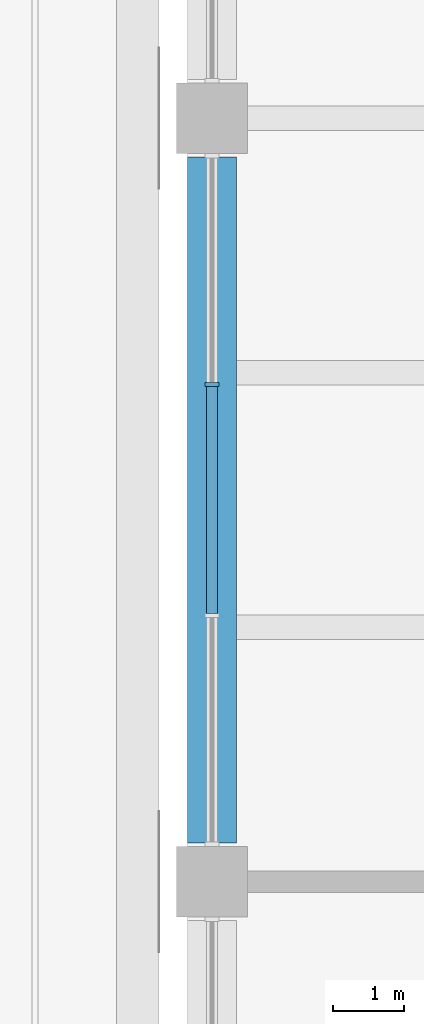
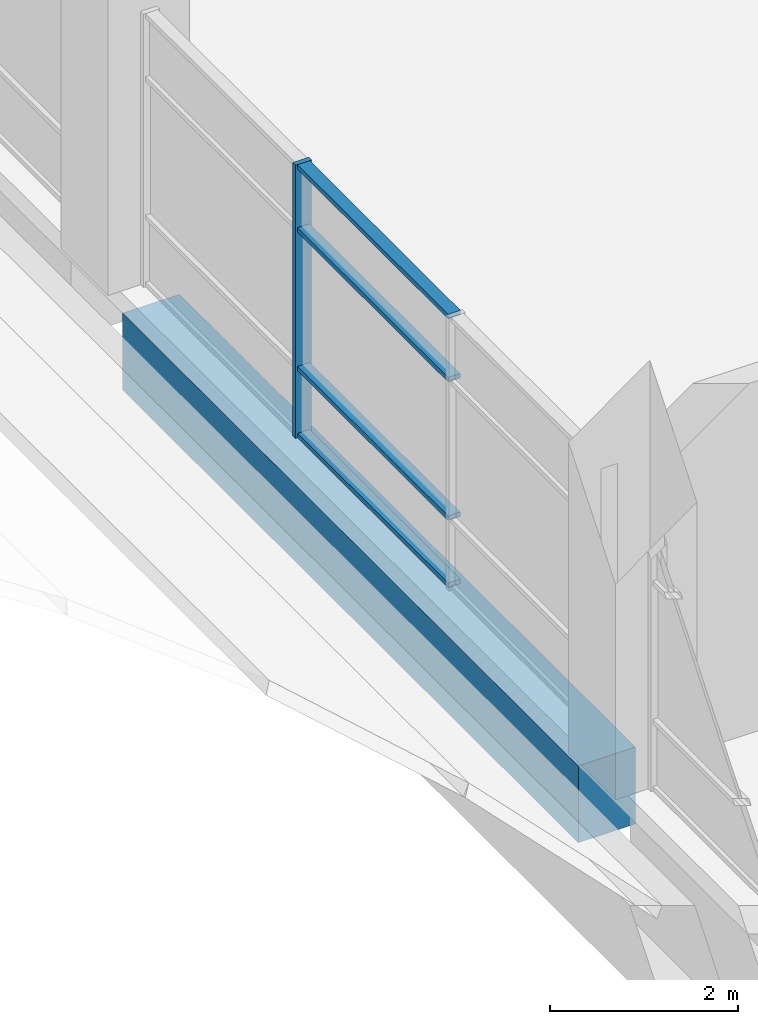
# One storey, part 12 of 45: 5 members, 1 beam, 1 element without a shape of its own.
"""IFC4 building model written with IfcOpenShell, lengths in metres."""

from ifc_helpers import new_model, si_unit, direction, frame, origin, origin_2d, place, context, subcontext, project, spatial, rectangle, extrude, material, layer, layer_set, material_profile, profile_set, type_object, element, aggregate, save


model = new_model("IFC4")

# Units and contexts
model_context = context("Model", 3, precision=1e-05, world=origin(), true_north=direction((0.0, 1.0)))
body_context = subcontext(model_context, "Body", "Model", "MODEL_VIEW")
ifc_project = project(units=[si_unit("LENGTHUNIT", "METRE"), si_unit("AREAUNIT", "SQUARE_METRE"), si_unit("VOLUMEUNIT", "CUBIC_METRE"), si_unit("PLANEANGLEUNIT", "RADIAN"), si_unit("MASSUNIT", "GRAM", prefix="KILO")], contexts=[model_context])

# Site, building, storey
site_placement = place(None, origin())
site = spatial("IfcSite", under=ifc_project, at=site_placement, CompositionType="ELEMENT")
building_placement = place(site_placement, origin())
building = spatial("IfcBuilding", under=site, at=building_placement, Name="Basin Gate Institute", CompositionType="ELEMENT")
storey_placement = place(building_placement, frame((0.0, 0.0, 22.199951171875)))
storey = spatial("IfcBuildingStorey", under=building, at=storey_placement, Name="L04", CompositionType="ELEMENT", Elevation=22.199951171875)

# Beam
ifc_material_1 = material(Name="Concrete 50 MPa", Category="concrete")
ifc_material_profile_1 = material_profile(ifc_material_1, rectangle(XDim=0.699951171875, YDim=1.0, at=origin_2d()), Name="Girder G1 700 x 1000")
ifc_profile_set_1 = profile_set([ifc_material_profile_1], Name="Concrete 50 MPa")
beam_type = type_object("IfcBeamType", Name="Girder G1 R120", PredefinedType="BEAM", material=ifc_profile_set_1)
beam_placement = place(storey_placement, frame((100.800048828125, 57.25, -0.75), z_axis=(0.0, 1.0, 0.0), x_axis=(-1.0, 0.0, 0.0)))
element("IfcBeam", 1, at=beam_placement, inside=storey, type_object=beam_type, material=ifc_profile_set_1, Name="GIR/L04/E7/3", PredefinedType="BEAM", context=body_context, shape_type="SweptSolid", body=[
    extrude(rectangle(XDim=0.699951171875, YDim=1.0, at=origin_2d()), origin(), (0.0, 0.0, 1.0), 9.699951171875),
])

# Curtain wall, members
ifc_material_2 = material(Name="Aluminium-framed glazing", Category="aluminium")
ifc_layer = layer(ifc_material_2, 0.199951171875)
ifc_layer_set = layer_set([ifc_layer], Name="Atrium curtain wall CW2")
curtain_wall_type = type_object("IfcCurtainWallType", Name="Atrium curtain wall CW2", PredefinedType="NOTDEFINED", material=ifc_layer_set)
curtain_wall_placement = place(storey_placement, origin())
curtain_wall = element("IfcCurtainWall", 2, at=curtain_wall_placement, inside=storey, type_object=curtain_wall_type, material=ifc_layer_set, Name="Atrium curtain wall E wing atrium bay 3 L04", PredefinedType="NOTDEFINED")
ifc_material_3 = material(Name="Aluminium", Category="aluminium")
ifc_material_profile_2 = material_profile(ifc_material_3, rectangle(XDim=0.199951171875, YDim=0.06005859375, at=origin_2d()), Name="Mullion MU2 200 x 60")
ifc_profile_set_2 = profile_set([ifc_material_profile_2], Name="Aluminium")
member_type_1 = type_object("IfcMemberType", Name="Mullion MU2", PredefinedType="MULLION", material=ifc_profile_set_2)
member_1_placement = place(storey_placement, frame((100.800048828125, 63.7333984375, 0.0), z_axis=(0.0, 0.0, 1.0), x_axis=(-1.0, 0.0, 0.0)))
member_1 = element("IfcMember", 3, at=member_1_placement, type_object=member_type_1, material=ifc_profile_set_2, Name="CW2 mullion 3", PredefinedType="MULLION", context=body_context, shape_type="SweptSolid", body=[
    extrude(rectangle(XDim=0.199951171875, YDim=0.06005859375, at=origin_2d()), origin(), (0.0, 0.0, 1.0), 3.550048828125),
])
ifc_material_4 = material(Name="Aluminium", Category="aluminium")
ifc_material_profile_3 = material_profile(ifc_material_4, rectangle(XDim=0.14990234375, YDim=0.06005859375, at=origin_2d()), Name="Transom TR2 150 x 60")
ifc_profile_set_3 = profile_set([ifc_material_profile_3], Name="Aluminium")
member_type_2 = type_object("IfcMemberType", Name="Transom TR2", PredefinedType="USERDEFINED", material=ifc_profile_set_3)
member_2_placement = place(storey_placement, frame((100.800048828125, 60.49658203125, 0.030029296875), z_axis=(0.0, 1.0, 0.0), x_axis=(-1.0, 0.0, 0.0)))
member_2 = element("IfcMember", 4, at=member_2_placement, type_object=member_type_2, material=ifc_profile_set_3, Name="CW2 transom 2.1", ObjectType="TRANSOM", PredefinedType="USERDEFINED", context=body_context, shape_type="SweptSolid", body=[
    extrude(rectangle(XDim=0.14990234375, YDim=0.06005859375, at=origin_2d()), origin(), (0.0, 0.0, 1.0), 3.206787109375),
])
member_3_placement = place(storey_placement, frame((100.800048828125, 60.49658203125, 0.900146484375), z_axis=(0.0, 1.0, 0.0), x_axis=(-1.0, 0.0, 0.0)))
member_3 = element("IfcMember", 5, at=member_3_placement, type_object=member_type_2, material=ifc_profile_set_3, Name="CW2 transom 2.2", ObjectType="TRANSOM", PredefinedType="USERDEFINED", context=body_context, shape_type="SweptSolid", body=[
    extrude(rectangle(XDim=0.14990234375, YDim=0.06005859375, at=origin_2d()), origin(), (0.0, 0.0, 1.0), 3.206787109375),
])
member_4_placement = place(storey_placement, frame((100.800048828125, 60.49658203125, 2.699951171875), z_axis=(0.0, 1.0, 0.0), x_axis=(-1.0, 0.0, 0.0)))
member_4 = element("IfcMember", 6, at=member_4_placement, type_object=member_type_2, material=ifc_profile_set_3, Name="CW2 transom 2.3", ObjectType="TRANSOM", PredefinedType="USERDEFINED", context=body_context, shape_type="SweptSolid", body=[
    extrude(rectangle(XDim=0.14990234375, YDim=0.06005859375, at=origin_2d()), origin(), (0.0, 0.0, 1.0), 3.206787109375),
])
member_5_placement = place(storey_placement, frame((100.800048828125, 60.49658203125, 3.52001953125), z_axis=(0.0, 1.0, 0.0), x_axis=(-1.0, 0.0, 0.0)))
member_5 = element("IfcMember", 7, at=member_5_placement, type_object=member_type_2, material=ifc_profile_set_3, Name="CW2 transom 2.4", ObjectType="TRANSOM", PredefinedType="USERDEFINED", context=body_context, shape_type="SweptSolid", body=[
    extrude(rectangle(XDim=0.14990234375, YDim=0.06005859375, at=origin_2d()), origin(), (0.0, 0.0, 1.0), 3.206787109375),
])
aggregate(curtain_wall, [member_1, member_2, member_3, member_4, member_5])

save(model, "model.ifc")
